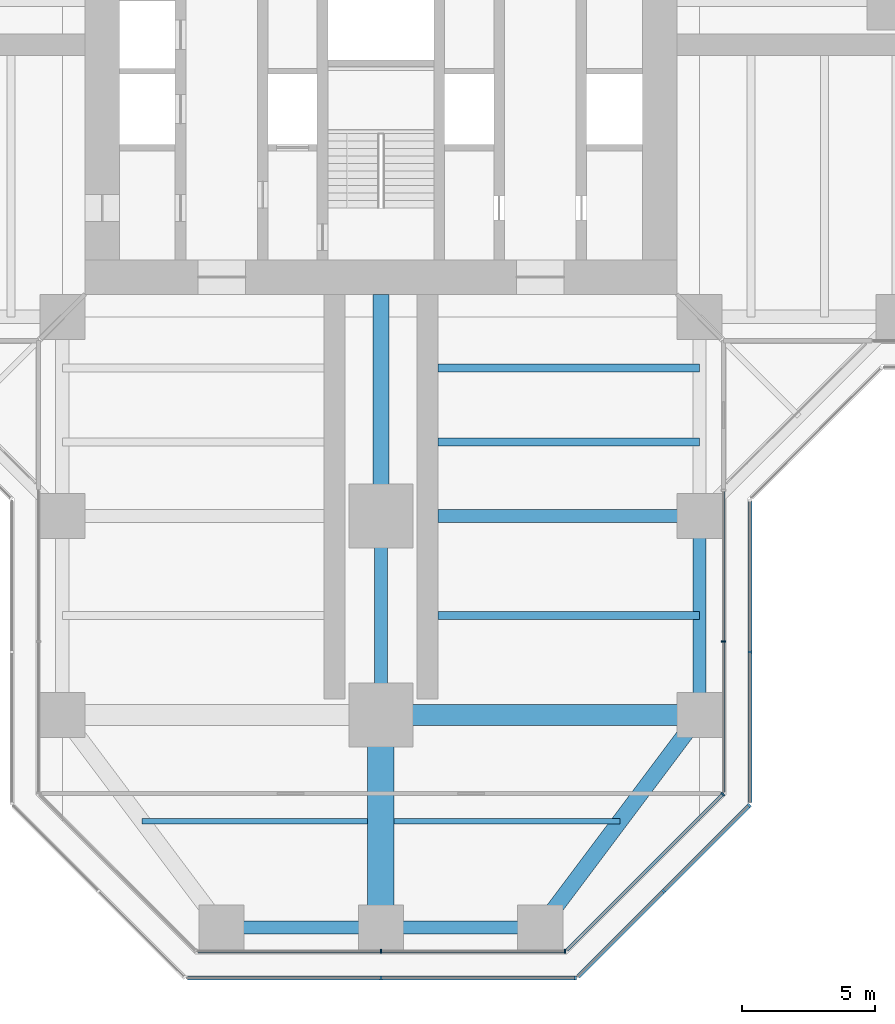
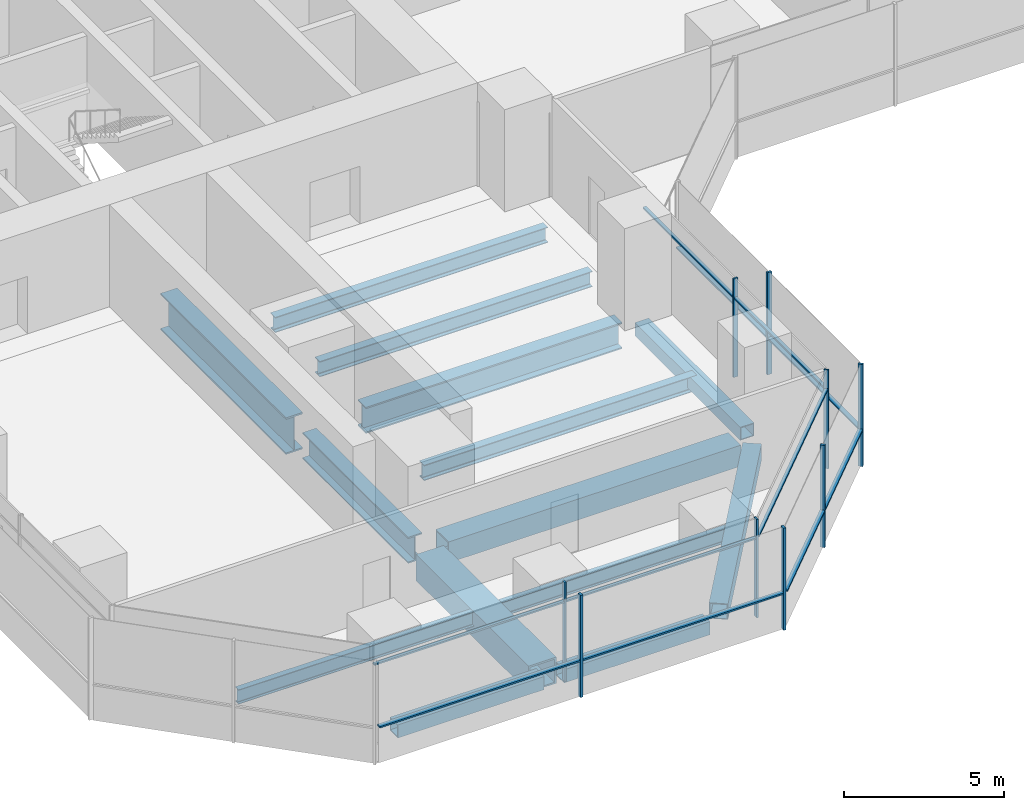
# One storey, part 5 of 22: 20 members, 14 beams, 6 elements without a shape of their own.
"""IFC4 building model written with IfcOpenShell, lengths in metres."""

from ifc_helpers import new_model, si_unit, direction, frame, origin, origin_2d, place, context, subcontext, project, spatial, rectangle, hollow_rectangle, i_section, extrude, material, material_profile, profile_set, type_object, element, aggregate, save


model = new_model("IFC4")

# Units and contexts
model_context = context("Model", 3, precision=1e-05, world=origin(), true_north=direction((0.0, 1.0)))
body_context = subcontext(model_context, "Body", "Model", "MODEL_VIEW")
ifc_project = project(units=[si_unit("LENGTHUNIT", "METRE"), si_unit("AREAUNIT", "SQUARE_METRE"), si_unit("VOLUMEUNIT", "CUBIC_METRE"), si_unit("PLANEANGLEUNIT", "RADIAN"), si_unit("MASSUNIT", "GRAM", prefix="KILO")], contexts=[model_context])

# Site, building, storey
site_placement = place(None, origin())
site = spatial("IfcSite", under=ifc_project, at=site_placement, CompositionType="ELEMENT")
building_placement = place(site_placement, origin())
building = spatial("IfcBuilding", under=site, at=building_placement, Name="Mizan Broadcast Tower", CompositionType="ELEMENT")
storey_placement = place(building_placement, frame((0.0, 0.0, 70.800048828125)))
storey = spatial("IfcBuildingStorey", under=building, at=storey_placement, Name="L14", CompositionType="ELEMENT", Elevation=70.800048828125)

# Beams
ifc_material_1 = material(Name="Steel S355", Category="steel")
ifc_material_profile_1 = material_profile(ifc_material_1, hollow_rectangle(XDim=0.5, YDim=0.5, WallThickness=0.030029296875, at=origin_2d()), Name="BOX 500x500x30")
ifc_profile_set_1 = profile_set([ifc_material_profile_1], Name="Steel S355")
beam_type_1 = type_object("IfcBeamType", Name="EDGE BEAM BOX 500x500x30", PredefinedType="SPANDREL", material=ifc_profile_set_1)
beam_1_placement = place(storey_placement, frame((-5.639892578125, -35.0, -0.380126953125), z_axis=(1.0, 0.0, 0.0), x_axis=(0.0, 1.0, 0.0)))
element("IfcBeam", 1, at=beam_1_placement, inside=storey, type_object=beam_type_1, Name="Edge beam BOX 500x500x30 L14 south arm", PredefinedType="SPANDREL", context=body_context, shape_type="SweptSolid", body=[
    extrude(hollow_rectangle(XDim=0.5, YDim=0.5, WallThickness=0.030029296875, at=origin_2d()), origin(), (0.0, 0.0, 1.0), 5.27978515625),
])
beam_2_placement = place(storey_placement, frame((12.0, -19.949951171875, -0.380126953125), z_axis=(0.0, -1.0, 0.0), x_axis=(1.0, 0.0, 0.0)))
element("IfcBeam", 2, at=beam_2_placement, inside=storey, type_object=beam_type_1, Name="Edge beam BOX 500x500x30 L14 south arm", PredefinedType="SPANDREL", context=body_context, shape_type="SweptSolid", body=[
    extrude(hollow_rectangle(XDim=0.5, YDim=0.5, WallThickness=0.030029296875, at=origin_2d()), origin(), (0.0, 0.0, 1.0), 6.60009765625),
])
beam_3_placement = place(storey_placement, frame((5.639892578125, -35.0, -0.380126953125), z_axis=(-1.0, 0.0, 0.0), x_axis=(0.0, -1.0, 0.0)))
element("IfcBeam", 3, at=beam_3_placement, inside=storey, type_object=beam_type_1, Name="Edge beam BOX 500x500x30 L14 south arm", PredefinedType="SPANDREL", context=body_context, shape_type="SweptSolid", body=[
    extrude(hollow_rectangle(XDim=0.5, YDim=0.5, WallThickness=0.030029296875, at=origin_2d()), origin(), (0.0, 0.0, 1.0), 5.27978515625),
])
ifc_material_2 = material(Name="Steel S355", Category="steel")
ifc_material_profile_2 = material_profile(ifc_material_2, hollow_rectangle(XDim=0.60009765625, YDim=0.60009765625, WallThickness=0.030029296875, at=origin_2d()), Name="BOX 600x600x30")
ifc_profile_set_2 = profile_set([ifc_material_profile_2], Name="Steel S355")
beam_type_2 = type_object("IfcBeamType", Name="EDGE BEAM BOX 600x600x30", PredefinedType="SPANDREL", material=ifc_profile_set_2)
beam_4_placement = place(storey_placement, frame((11.639892578125, -27.47998046875, -0.429931640625), z_axis=(-0.599982243973, -0.800013316712, 0.0), x_axis=(0.800013316712, -0.599982243973, 0.0)))
element("IfcBeam", 4, at=beam_4_placement, inside=storey, type_object=beam_type_2, Name="Edge beam BOX 600x600x30 L14 south arm", PredefinedType="SPANDREL", context=body_context, shape_type="SweptSolid", body=[
    extrude(hollow_rectangle(XDim=0.60009765625, YDim=0.60009765625, WallThickness=0.030029296875, at=origin_2d()), origin(), (0.0, 0.0, 1.0), 8.7998046875),
])
ifc_material_3 = material(Name="Steel S460", Category="steel")
ifc_material_profile_3 = material_profile(ifc_material_3, hollow_rectangle(XDim=1.0, YDim=1.0, WallThickness=0.06005859375, at=origin_2d()), Name="BOX 1000x1000x60")
ifc_profile_set_3 = profile_set([ifc_material_profile_3], Name="Steel S460")
beam_type_3 = type_object("IfcBeamType", Name="GIRDER BOX 1000x1000x60", PredefinedType="BEAM", material=ifc_profile_set_3)
beam_5_placement = place(storey_placement, frame((0.0, -27.47998046875, -0.630126953125), z_axis=(0.0, -1.0, 0.0), x_axis=(1.0, 0.0, 0.0)))
element("IfcBeam", 5, at=beam_5_placement, inside=storey, type_object=beam_type_3, Name="Girder BOX 1000x1000x60 L14 south arm", PredefinedType="BEAM", context=body_context, shape_type="SweptSolid", body=[
    extrude(hollow_rectangle(XDim=1.0, YDim=1.0, WallThickness=0.06005859375, at=origin_2d()), origin(), (0.0, 0.0, 1.0), 7.0400390625),
])
ifc_material_4 = material(Name="Steel S460", Category="steel")
ifc_material_profile_4 = material_profile(ifc_material_4, hollow_rectangle(XDim=0.800048828125, YDim=0.800048828125, WallThickness=0.050048828125, at=origin_2d()), Name="BOX 800x800x50")
ifc_profile_set_4 = profile_set([ifc_material_profile_4], Name="Steel S460")
beam_type_4 = type_object("IfcBeamType", Name="GIRDER BOX 800x800x50", PredefinedType="BEAM", material=ifc_profile_set_4)
beam_6_placement = place(storey_placement, frame((11.280029296875, -27.0, -0.530029296875), z_axis=(-1.0, 0.0, 0.0), x_axis=(0.0, -1.0, 0.0)))
element("IfcBeam", 6, at=beam_6_placement, inside=storey, type_object=beam_type_4, Name="Girder BOX 800x800x50 L14 south arm", PredefinedType="BEAM", context=body_context, shape_type="SweptSolid", body=[
    extrude(hollow_rectangle(XDim=0.800048828125, YDim=0.800048828125, WallThickness=0.050048828125, at=origin_2d()), origin(), (0.0, 0.0, 1.0), 10.56005859375),
])
ifc_material_5 = material(Name="Steel S460", Category="steel")
ifc_material_profile_5 = material_profile(ifc_material_5, i_section(OverallWidth=0.5, OverallDepth=1.0, WebThickness=0.02490234375, FlangeThickness=0.050048828125, at=origin_2d()), Name="WPG 1000x500")
ifc_profile_set_5 = profile_set([ifc_material_profile_5], Name="Steel S460")
beam_type_5 = type_object("IfcBeamType", Name="GIRDER WPG 1000x500", PredefinedType="BEAM", material=ifc_profile_set_5)
beam_7_placement = place(storey_placement, frame((0.0, -19.949951171875, -0.630126953125), z_axis=(0.0, -1.0, 0.0), x_axis=(1.0, 0.0, 0.0)))
element("IfcBeam", 7, at=beam_7_placement, inside=storey, type_object=beam_type_5, Name="Girder WPG 1000x500 L14 south arm", PredefinedType="BEAM", context=body_context, shape_type="SweptSolid", body=[
    extrude(i_section(OverallWidth=0.5, OverallDepth=1.0, WebThickness=0.02490234375, FlangeThickness=0.050048828125, at=origin_2d()), origin(), (0.0, 0.0, 1.0), 6.60009765625),
])
beam_8_placement = place(storey_placement, frame((11.408935546875, -19.5, -0.630126953125), z_axis=(-1.0, 0.0, 0.0), x_axis=(0.0, -1.0, 0.0)))
element("IfcBeam", 8, at=beam_8_placement, inside=storey, type_object=beam_type_5, Name="Girder WPG 1000x500 L14 south arm", PredefinedType="BEAM", context=body_context, shape_type="SweptSolid", body=[
    extrude(i_section(OverallWidth=0.5, OverallDepth=1.0, WebThickness=0.02490234375, FlangeThickness=0.050048828125, at=origin_2d()), origin(), (0.0, 0.0, 1.0), 9.259033203125),
])
ifc_material_6 = material(Name="Steel S460", Category="steel")
ifc_material_profile_6 = material_profile(ifc_material_6, i_section(OverallWidth=0.60009765625, OverallDepth=1.39990234375, WebThickness=0.02490234375, FlangeThickness=0.06005859375, at=origin_2d()), Name="WPG 1400x600")
ifc_profile_set_6 = profile_set([ifc_material_profile_6], Name="Steel S460")
beam_type_6 = type_object("IfcBeamType", Name="GIRDER WPG 1400x600", PredefinedType="BEAM", material=ifc_profile_set_6)
beam_9_placement = place(storey_placement, frame((0.0, -11.14990234375, -0.830078125), z_axis=(0.0, -1.0, 0.0), x_axis=(1.0, 0.0, 0.0)))
element("IfcBeam", 9, at=beam_9_placement, inside=storey, type_object=beam_type_6, Name="Girder WPG 1400x600 L14 south arm", PredefinedType="BEAM", context=body_context, shape_type="SweptSolid", body=[
    extrude(i_section(OverallWidth=0.60009765625, OverallDepth=1.39990234375, WebThickness=0.02490234375, FlangeThickness=0.06005859375, at=origin_2d()), origin(), (0.0, 0.0, 1.0), 7.84912109375),
])

# Curtain wall, members
ifc_material_7 = material(Name="Aluminium framed glazing", Category="aluminium")
curtain_wall_type_1 = type_object("IfcCurtainWallType", Name="INNER SKIN LOW ZONE", PredefinedType="USERDEFINED", material=ifc_material_7)
curtain_wall_1_placement = place(storey_placement, origin())
curtain_wall_1 = element("IfcCurtainWall", 10, at=curtain_wall_1_placement, inside=storey, type_object=curtain_wall_type_1, Name="Inner skin low zone L14 S end", ObjectType="INNER SKIN LOW ZONE", PredefinedType="USERDEFINED")
ifc_material_8 = material(Name="Aluminium, pale anodised", Category="aluminium")
ifc_material_profile_7 = material_profile(ifc_material_8, rectangle(XDim=0.159912109375, YDim=0.06005859375, at=origin_2d()), Name="MULLION 160x60")
ifc_profile_set_7 = profile_set([ifc_material_profile_7], Name="Aluminium, pale anodised")
member_type_1 = type_object("IfcMemberType", Name="INNER SKIN MULLION 60x160", PredefinedType="MULLION", material=ifc_profile_set_7)
member_1_placement = place(storey_placement, frame((0.0, -35.89990234375, 0.0), z_axis=(0.0, 0.0, 1.0), x_axis=(0.0, 1.0, 0.0)))
member_1 = element("IfcMember", 11, at=member_1_placement, type_object=member_type_1, Name="Inner skin low zone L14 S end mullion 2", PredefinedType="MULLION", context=body_context, shape_type="SweptSolid", body=[
    extrude(rectangle(XDim=0.159912109375, YDim=0.06005859375, at=origin_2d()), origin(), (0.0, 0.0, 1.0), 3.77001953125),
])
member_2_placement = place(storey_placement, frame((6.928466796875, -35.89990234375, 0.0), z_axis=(0.0, 0.0, 1.0), x_axis=(0.0, 1.0, 0.0)))
member_2 = element("IfcMember", 12, at=member_2_placement, type_object=member_type_1, Name="Inner skin low zone L14 S end mullion 3", PredefinedType="MULLION", context=body_context, shape_type="SweptSolid", body=[
    extrude(rectangle(XDim=0.159912109375, YDim=0.06005859375, at=origin_2d()), origin(), (0.0, 0.0, 1.0), 3.77001953125),
])

# Curtain wall, member
curtain_wall_2_placement = place(storey_placement, origin())
curtain_wall_2 = element("IfcCurtainWall", 13, at=curtain_wall_2_placement, inside=storey, type_object=curtain_wall_type_1, Name="Inner skin low zone L14 S chamfer", ObjectType="INNER SKIN LOW ZONE", PredefinedType="USERDEFINED")
member_3_placement = place(storey_placement, frame((12.87890625, -29.979736328125, 0.0), z_axis=(0.0, 0.0, 1.0), x_axis=(-0.707106781187, 0.707106781187, 0.0)))
member_3 = element("IfcMember", 14, at=member_3_placement, type_object=member_type_1, Name="Inner skin low zone L14 S chamfer mullion 2", PredefinedType="MULLION", context=body_context, shape_type="SweptSolid", body=[
    extrude(rectangle(XDim=0.159912109375, YDim=0.06005859375, at=origin_2d()), origin(), (0.0, 0.0, 1.0), 3.77001953125),
])

curtain_wall_3_placement = place(storey_placement, origin())
curtain_wall_3 = element("IfcCurtainWall", 15, at=curtain_wall_3_placement, inside=storey, type_object=curtain_wall_type_1, Name="Inner skin low zone L14 S side", ObjectType="INNER SKIN LOW ZONE", PredefinedType="USERDEFINED")
member_4_placement = place(storey_placement, frame((12.89990234375, -24.229248046875, 0.0), z_axis=(0.0, 0.0, 1.0), x_axis=(-1.0, 0.0, 0.0)))
member_4 = element("IfcMember", 16, at=member_4_placement, type_object=member_type_1, Name="Inner skin low zone L14 S side mullion 2", PredefinedType="MULLION", context=body_context, shape_type="SweptSolid", body=[
    extrude(rectangle(XDim=0.159912109375, YDim=0.06005859375, at=origin_2d()), origin(), (0.0, 0.0, 1.0), 3.77001953125),
])

# Member
ifc_material_9 = material(Name="Aluminium, pale anodised", Category="aluminium")
ifc_material_profile_8 = material_profile(ifc_material_9, rectangle(XDim=0.1201171875, YDim=0.06005859375, at=origin_2d()), Name="TRANSOM 120x60")
ifc_profile_set_8 = profile_set([ifc_material_profile_8], Name="Aluminium, pale anodised")
member_type_2 = type_object("IfcMemberType", Name="INNER SKIN TRANSOM 60x120", PredefinedType="USERDEFINED", material=ifc_profile_set_8)
member_5_placement = place(storey_placement, frame((-6.898681640625, -35.89990234375, 3.030029296875), z_axis=(1.0, 0.0, 0.0), x_axis=(0.0, 1.0, 0.0)))
member_5 = element("IfcMember", 17, at=member_5_placement, type_object=member_type_2, Name="Inner skin low zone L14 S end transom 1.1", ObjectType="TRANSOM", PredefinedType="USERDEFINED", context=body_context, shape_type="SweptSolid", body=[
    extrude(rectangle(XDim=0.1201171875, YDim=0.06005859375, at=origin_2d()), origin(), (0.0, 0.0, 1.0), 6.86865234375),
])

member_6_placement = place(storey_placement, frame((0.030029296875, -35.89990234375, 3.030029296875), z_axis=(1.0, 0.0, 0.0), x_axis=(0.0, 1.0, 0.0)))
member_6 = element("IfcMember", 18, at=member_6_placement, type_object=member_type_2, Name="Inner skin low zone L14 S end transom 2.1", ObjectType="TRANSOM", PredefinedType="USERDEFINED", context=body_context, shape_type="SweptSolid", body=[
    extrude(rectangle(XDim=0.1201171875, YDim=0.06005859375, at=origin_2d()), origin(), (0.0, 0.0, 1.0), 6.86865234375),
])

aggregate(curtain_wall_1, [member_1, member_2, member_5, member_6])

member_7_placement = place(storey_placement, frame((7.0009765625, -35.857666015625, 3.030029296875), z_axis=(0.707106781187, 0.707106781187, 0.0), x_axis=(-0.707106781187, 0.707106781187, 0.0)))
member_7 = element("IfcMember", 19, at=member_7_placement, type_object=member_type_2, Name="Inner skin low zone L14 S chamfer transom 1.1", ObjectType="TRANSOM", PredefinedType="USERDEFINED", context=body_context, shape_type="SweptSolid", body=[
    extrude(rectangle(XDim=0.1201171875, YDim=0.06005859375, at=origin_2d()), origin(), (0.0, 0.0, 1.0), 8.28271484375),
])

aggregate(curtain_wall_2, [member_3, member_7])

member_8_placement = place(storey_placement, frame((12.89990234375, -29.898681640625, 3.030029296875), z_axis=(0.0, 1.0, 0.0), x_axis=(-1.0, 0.0, 0.0)))
member_8 = element("IfcMember", 20, at=member_8_placement, type_object=member_type_2, Name="Inner skin low zone L14 S side transom 1.1", ObjectType="TRANSOM", PredefinedType="USERDEFINED", context=body_context, shape_type="SweptSolid", body=[
    extrude(rectangle(XDim=0.1201171875, YDim=0.06005859375, at=origin_2d()), origin(), (0.0, 0.0, 1.0), 5.639404296875),
])

member_9_placement = place(storey_placement, frame((12.89990234375, -24.19921875, 3.030029296875), z_axis=(0.0, 1.0, 0.0), x_axis=(-1.0, 0.0, 0.0)))
member_9 = element("IfcMember", 21, at=member_9_placement, type_object=member_type_2, Name="Inner skin low zone L14 S side transom 2.1", ObjectType="TRANSOM", PredefinedType="USERDEFINED", context=body_context, shape_type="SweptSolid", body=[
    extrude(rectangle(XDim=0.1201171875, YDim=0.06005859375, at=origin_2d()), origin(), (0.0, 0.0, 1.0), 5.63916015625),
])

aggregate(curtain_wall_3, [member_4, member_8, member_9])

# Curtain wall, members
ifc_material_10 = material(Name="Aluminium framed glazing", Category="aluminium")
curtain_wall_type_2 = type_object("IfcCurtainWallType", Name="OUTER SKIN", PredefinedType="USERDEFINED", material=ifc_material_10)
curtain_wall_4_placement = place(storey_placement, origin())
curtain_wall_4 = element("IfcCurtainWall", 22, at=curtain_wall_4_placement, inside=storey, type_object=curtain_wall_type_2, Name="Outer skin L14 S end", ObjectType="OUTER SKIN", PredefinedType="USERDEFINED")
ifc_material_11 = material(Name="Aluminium, pale anodised", Category="aluminium")
ifc_material_profile_9 = material_profile(ifc_material_11, rectangle(XDim=0.159912109375, YDim=0.080078125, at=origin_2d()), Name="MULLION 160x80")
ifc_profile_set_9 = profile_set([ifc_material_profile_9], Name="Aluminium, pale anodised")
member_type_3 = type_object("IfcMemberType", Name="OUTER SKIN MULLION 80x160", PredefinedType="MULLION", material=ifc_profile_set_9)
member_10_placement = place(storey_placement, frame((0.0, -36.89990234375, 0.0), z_axis=(0.0, 0.0, 1.0), x_axis=(0.0, 1.0, 0.0)))
member_10 = element("IfcMember", 23, at=member_10_placement, type_object=member_type_3, Name="Outer skin L14 S end mullion 2", PredefinedType="MULLION", context=body_context, shape_type="SweptSolid", body=[
    extrude(rectangle(XDim=0.159912109375, YDim=0.080078125, at=origin_2d()), origin(), (0.0, 0.0, 1.0), 3.89990234375),
])
member_11_placement = place(storey_placement, frame((7.332763671875, -36.89990234375, 0.0), z_axis=(0.0, 0.0, 1.0), x_axis=(0.0, 1.0, 0.0)))
member_11 = element("IfcMember", 24, at=member_11_placement, type_object=member_type_3, Name="Outer skin L14 S end mullion 3", PredefinedType="MULLION", context=body_context, shape_type="SweptSolid", body=[
    extrude(rectangle(XDim=0.159912109375, YDim=0.080078125, at=origin_2d()), origin(), (0.0, 0.0, 1.0), 3.89990234375),
])

curtain_wall_5_placement = place(storey_placement, origin())
curtain_wall_5 = element("IfcCurtainWall", 25, at=curtain_wall_5_placement, inside=storey, type_object=curtain_wall_type_2, Name="Outer skin L14 S chamfer", ObjectType="OUTER SKIN", PredefinedType="USERDEFINED")
member_12_placement = place(storey_placement, frame((10.636474609375, -33.636474609375, 0.0), z_axis=(0.0, 0.0, 1.0), x_axis=(-0.707106781187, 0.707106781187, 0.0)))
member_12 = element("IfcMember", 26, at=member_12_placement, type_object=member_type_3, Name="Outer skin L14 S chamfer mullion 2", PredefinedType="MULLION", context=body_context, shape_type="SweptSolid", body=[
    extrude(rectangle(XDim=0.159912109375, YDim=0.080078125, at=origin_2d()), origin(), (0.0, 0.0, 1.0), 3.89990234375),
])
member_13_placement = place(storey_placement, frame((13.871826171875, -30.401123046875, 0.0), z_axis=(0.0, 0.0, 1.0), x_axis=(-0.707106781187, 0.707106781187, 0.0)))
member_13 = element("IfcMember", 27, at=member_13_placement, type_object=member_type_3, Name="Outer skin L14 S chamfer mullion 3", PredefinedType="MULLION", context=body_context, shape_type="SweptSolid", body=[
    extrude(rectangle(XDim=0.159912109375, YDim=0.080078125, at=origin_2d()), origin(), (0.0, 0.0, 1.0), 3.89990234375),
])

# Curtain wall, member
curtain_wall_6_placement = place(storey_placement, origin())
curtain_wall_6 = element("IfcCurtainWall", 28, at=curtain_wall_6_placement, inside=storey, type_object=curtain_wall_type_2, Name="Outer skin L14 S side", ObjectType="OUTER SKIN", PredefinedType="USERDEFINED")
member_14_placement = place(storey_placement, frame((13.89990234375, -24.622802734375, 0.0), z_axis=(0.0, 0.0, 1.0), x_axis=(-1.0, 0.0, 0.0)))
member_14 = element("IfcMember", 29, at=member_14_placement, type_object=member_type_3, Name="Outer skin L14 S side mullion 2", PredefinedType="MULLION", context=body_context, shape_type="SweptSolid", body=[
    extrude(rectangle(XDim=0.159912109375, YDim=0.080078125, at=origin_2d()), origin(), (0.0, 0.0, 1.0), 3.89990234375),
])

# Member
ifc_material_12 = material(Name="Aluminium, pale anodised", Category="aluminium")
ifc_material_profile_10 = material_profile(ifc_material_12, rectangle(XDim=0.159912109375, YDim=0.06005859375, at=origin_2d()), Name="TRANSOM 160x60")
ifc_profile_set_10 = profile_set([ifc_material_profile_10], Name="Aluminium, pale anodised")
member_type_4 = type_object("IfcMemberType", Name="OUTER SKIN TRANSOM 60x160", PredefinedType="USERDEFINED", material=ifc_profile_set_10)
member_15_placement = place(storey_placement, frame((-7.292724609375, -36.89990234375, 1.39990234375), z_axis=(1.0, 0.0, 0.0), x_axis=(0.0, 1.0, 0.0)))
member_15 = element("IfcMember", 30, at=member_15_placement, type_object=member_type_4, Name="Outer skin L14 S end transom 1.1", ObjectType="TRANSOM", PredefinedType="USERDEFINED", context=body_context, shape_type="SweptSolid", body=[
    extrude(rectangle(XDim=0.159912109375, YDim=0.06005859375, at=origin_2d()), origin(), (0.0, 0.0, 1.0), 7.252685546875),
])

member_16_placement = place(storey_placement, frame((0.0400390625, -36.89990234375, 1.39990234375), z_axis=(1.0, 0.0, 0.0), x_axis=(0.0, 1.0, 0.0)))
member_16 = element("IfcMember", 31, at=member_16_placement, type_object=member_type_4, Name="Outer skin L14 S end transom 2.1", ObjectType="TRANSOM", PredefinedType="USERDEFINED", context=body_context, shape_type="SweptSolid", body=[
    extrude(rectangle(XDim=0.159912109375, YDim=0.06005859375, at=origin_2d()), origin(), (0.0, 0.0, 1.0), 7.252685546875),
])

aggregate(curtain_wall_4, [member_10, member_11, member_15, member_16])

member_17_placement = place(storey_placement, frame((7.429443359375, -36.843505859375, 1.39990234375), z_axis=(0.707106781187, 0.707106781187, 0.0), x_axis=(-0.707106781187, 0.707106781187, 0.0)))
member_17 = element("IfcMember", 32, at=member_17_placement, type_object=member_type_4, Name="Outer skin L14 S chamfer transom 1.1", ObjectType="TRANSOM", PredefinedType="USERDEFINED", context=body_context, shape_type="SweptSolid", body=[
    extrude(rectangle(XDim=0.159912109375, YDim=0.06005859375, at=origin_2d()), origin(), (0.0, 0.0, 1.0), 4.495361328125),
])

member_18_placement = place(storey_placement, frame((10.664794921875, -33.608154296875, 1.39990234375), z_axis=(0.707106781187, 0.707106781187, 0.0), x_axis=(-0.707106781187, 0.707106781187, 0.0)))
member_18 = element("IfcMember", 33, at=member_18_placement, type_object=member_type_4, Name="Outer skin L14 S chamfer transom 2.1", ObjectType="TRANSOM", PredefinedType="USERDEFINED", context=body_context, shape_type="SweptSolid", body=[
    extrude(rectangle(XDim=0.159912109375, YDim=0.06005859375, at=origin_2d()), origin(), (0.0, 0.0, 1.0), 4.495361328125),
])

aggregate(curtain_wall_5, [member_12, member_13, member_17, member_18])

member_19_placement = place(storey_placement, frame((13.89990234375, -30.292724609375, 1.39990234375), z_axis=(0.0, 1.0, 0.0), x_axis=(-1.0, 0.0, 0.0)))
member_19 = element("IfcMember", 34, at=member_19_placement, type_object=member_type_4, Name="Outer skin L14 S side transom 1.1", ObjectType="TRANSOM", PredefinedType="USERDEFINED", context=body_context, shape_type="SweptSolid", body=[
    extrude(rectangle(XDim=0.159912109375, YDim=0.06005859375, at=origin_2d()), origin(), (0.0, 0.0, 1.0), 5.6298828125),
])

member_20_placement = place(storey_placement, frame((13.89990234375, -24.582763671875, 1.39990234375), z_axis=(0.0, 1.0, 0.0), x_axis=(-1.0, 0.0, 0.0)))
member_20 = element("IfcMember", 35, at=member_20_placement, type_object=member_type_4, Name="Outer skin L14 S side transom 2.1", ObjectType="TRANSOM", PredefinedType="USERDEFINED", context=body_context, shape_type="SweptSolid", body=[
    extrude(rectangle(XDim=0.159912109375, YDim=0.06005859375, at=origin_2d()), origin(), (0.0, 0.0, 1.0), 5.6298828125),
])

aggregate(curtain_wall_6, [member_14, member_19, member_20])

# Beams
ifc_material_13 = material(Name="Steel S355", Category="steel")
ifc_material_profile_11 = material_profile(ifc_material_13, i_section(OverallWidth=0.300048828125, OverallDepth=0.590087890625, WebThickness=0.012939453125, FlangeThickness=0.02490234375, FilletRadius=0.027099609375, at=origin_2d()), Name="HEA 600")
ifc_profile_set_11 = profile_set([ifc_material_profile_11], Name="Steel S355")
beam_type_7 = type_object("IfcBeamType", Name="SECONDARY BEAM HEA 600", PredefinedType="JOIST", material=ifc_profile_set_11)
for number, where, z_axis, x_axis, name in (
    (36, (12.0, -13.933349609375, -0.425048828125), (-1.0, 0.0, 0.0), (0.0, -1.0, 0.0), "Secondary beam HEA 600 L14 south arm"),
    (37, (12.0, -16.716552734375, -0.425048828125), (-1.0, 0.0, 0.0), (0.0, -1.0, 0.0), "Secondary beam HEA 600 L14 south arm"),
    (38, (12.0, -23.25, -0.425048828125), (-1.0, 0.0, 0.0), (0.0, -1.0, 0.0), "Secondary beam HEA 600 L14 south arm"),
):
    element("IfcBeam", number, at=place(storey_placement, frame(where, z_axis=z_axis, x_axis=x_axis)), inside=storey, type_object=beam_type_7, Name=name, PredefinedType="JOIST", context=body_context, shape_type="SweptSolid", body=[
        extrude(i_section(OverallWidth=0.300048828125, OverallDepth=0.590087890625, WebThickness=0.012939453125, FlangeThickness=0.02490234375, FilletRadius=0.027099609375, at=origin_2d()), origin(), (0.0, 0.0, 1.0), 9.85009765625),
    ])
ifc_material_14 = material(Name="Steel S355", Category="steel")
ifc_material_profile_12 = material_profile(ifc_material_14, i_section(OverallWidth=0.2099609375, OverallDepth=0.550048828125, WebThickness=0.010986328125, FlangeThickness=0.01708984375, FilletRadius=0.02392578125, at=origin_2d()), Name="IPE 550")
ifc_profile_set_12 = profile_set([ifc_material_profile_12], Name="Steel S355")
beam_type_8 = type_object("IfcBeamType", Name="SECONDARY BEAM IPE 550", PredefinedType="JOIST", material=ifc_profile_set_12)
for number, where, z_axis, x_axis, name in (
    (39, (-9.0, -31.0, -0.405029296875), (1.0, 0.0, 0.0), (0.0, 1.0, 0.0), "Secondary beam IPE 550 L14 south arm"),
    (40, (9.0, -31.0, -0.405029296875), (-1.0, 0.0, 0.0), (0.0, -1.0, 0.0), "Secondary beam IPE 550 L14 south arm"),
):
    element("IfcBeam", number, at=place(storey_placement, frame(where, z_axis=z_axis, x_axis=x_axis)), inside=storey, type_object=beam_type_8, Name=name, PredefinedType="JOIST", context=body_context, shape_type="SweptSolid", body=[
        extrude(i_section(OverallWidth=0.2099609375, OverallDepth=0.550048828125, WebThickness=0.010986328125, FlangeThickness=0.01708984375, FilletRadius=0.02392578125, at=origin_2d()), origin(), (0.0, 0.0, 1.0), 8.5),
    ])

save(model, "model.ifc")
